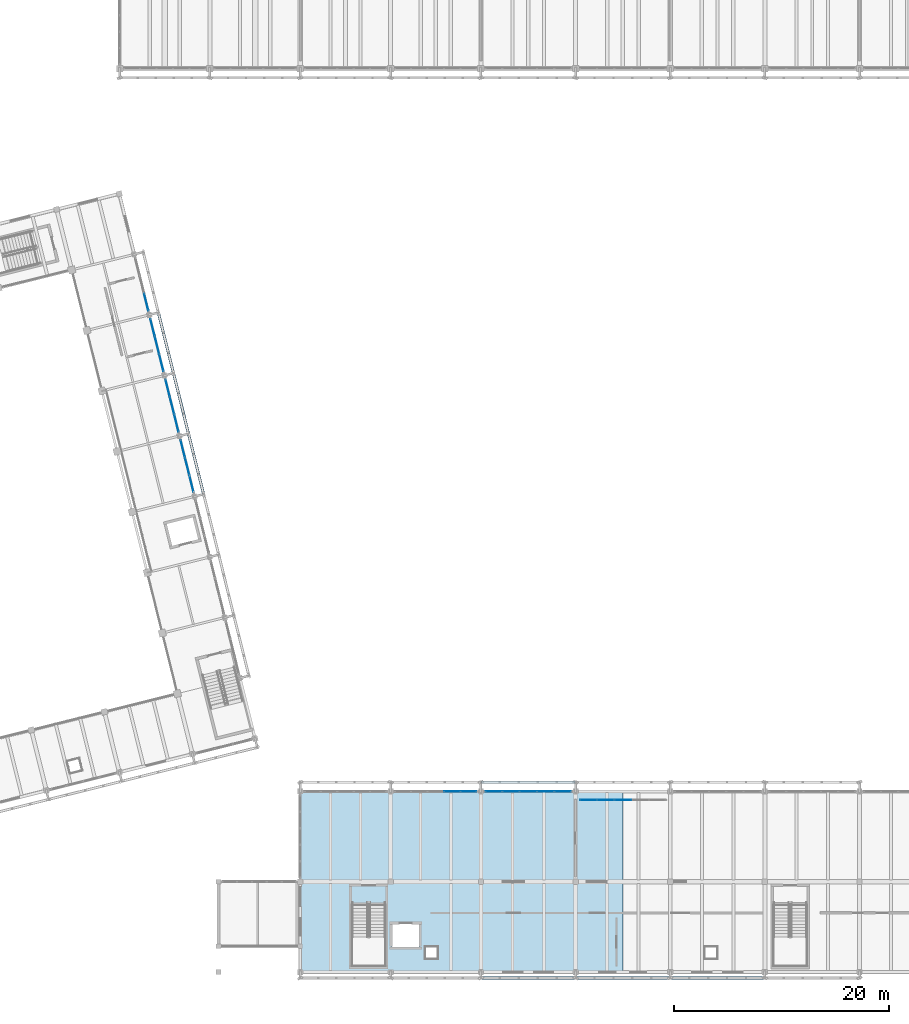
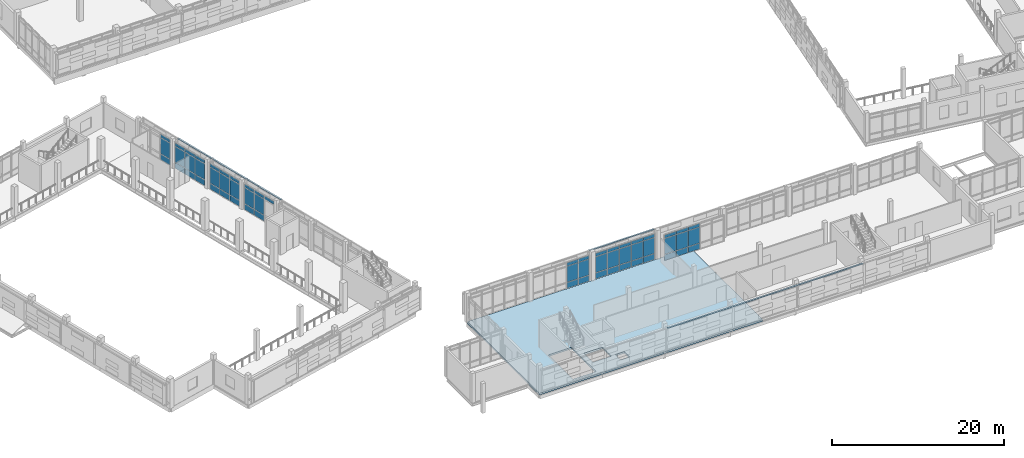
# One storey, part 95 of 137: 65 plates, 1 slab, 7 elements without a shape of their own.
"""IFC4 building model written with IfcOpenShell, lengths in metres."""

from ifc_helpers import new_model, si_unit, direction, frame, origin, origin_2d, place, context, subcontext, project, spatial, polyline, rectangle, outline, extrude, material, layer, layer_set, type_object, element, aggregate, save


model = new_model("IFC4")

# Units and contexts
model_context = context("Model", 3, precision=1e-05, world=origin(), true_north=direction((0.0, 1.0)))
body_context = subcontext(model_context, "Body", "Model", "MODEL_VIEW")
ifc_project = project(units=[si_unit("LENGTHUNIT", "METRE"), si_unit("AREAUNIT", "SQUARE_METRE"), si_unit("VOLUMEUNIT", "CUBIC_METRE"), si_unit("PLANEANGLEUNIT", "RADIAN"), si_unit("MASSUNIT", "GRAM", prefix="KILO")], contexts=[model_context])

# Site, building, storey
site_placement = place(None, origin())
site = spatial("IfcSite", under=ifc_project, at=site_placement, CompositionType="ELEMENT")
building_placement = place(site_placement, origin())
building = spatial("IfcBuilding", under=site, at=building_placement, Name="Cinderway Yard Community Centre", CompositionType="ELEMENT")
storey_placement = place(building_placement, frame((0.0, 0.0, 4.800048828125)))
storey = spatial("IfcBuildingStorey", under=building, at=storey_placement, Name="L01", CompositionType="ELEMENT", Elevation=4.800048828125)

# Curtain wall, plates
ifc_material_1 = material(Name="Aluminium 6063-T6", Category="aluminium")
curtain_wall_type_1 = type_object("IfcCurtainWallType", Name="ENV-CW-TYPE-26", PredefinedType="USERDEFINED", material=ifc_material_1)
curtain_wall_1_placement = place(storey_placement, origin())
curtain_wall_1 = element("IfcCurtainWall", 1, at=curtain_wall_1_placement, inside=storey, type_object=curtain_wall_type_1, Name="Dining Courtyard Curtain Wall ENV-CW-L01-ST-0094", ObjectType="GLAZED CURTAIN WALL", PredefinedType="USERDEFINED")
ifc_material_2 = material(Name="Laminated Low-E Glass", Category="glass")
ifc_layer_1 = layer(ifc_material_2, 0.028076171875, Name="Laminated Low-E Glass")
ifc_layer_set_1 = layer_set([ifc_layer_1], Name="Laminated Low-E Glass")
plate_type_1 = type_object("IfcPlateType", Name="ENV-CW-PAN-IGU28", PredefinedType="CURTAIN_PANEL", material=ifc_layer_set_1)
plate_1_placement = place(storey_placement, frame((72.528076171875, 22.800048828125, 0.059814453125), z_axis=(0.0, 0.0, 1.0), x_axis=(1.0, 0.0, 0.0)))
plate_1 = element("IfcPlate", 2, at=plate_1_placement, type_object=plate_type_1, Name="CW-26 panel 4.1", PredefinedType="CURTAIN_PANEL", context=body_context, shape_type="SweptSolid", body=[
    extrude(rectangle(XDim=1.468017578125, YDim=0.028076171875, at=origin_2d()), origin(), (0.0, 0.0, 1.0), 0.81005859375),
])
plate_2_placement = place(storey_placement, frame((72.528076171875, 22.800048828125, 0.93017578125), z_axis=(0.0, 0.0, 1.0), x_axis=(1.0, 0.0, 0.0)))
plate_2 = element("IfcPlate", 3, at=plate_2_placement, type_object=plate_type_1, Name="CW-26 panel 4.2", PredefinedType="CURTAIN_PANEL", context=body_context, shape_type="SweptSolid", body=[
    extrude(rectangle(XDim=1.468017578125, YDim=0.028076171875, at=origin_2d()), origin(), (0.0, 0.0, 1.0), 2.239990234375),
])
plate_3_placement = place(storey_placement, frame((72.528076171875, 22.800048828125, 3.22998046875), z_axis=(0.0, 0.0, 1.0), x_axis=(1.0, 0.0, 0.0)))
plate_3 = element("IfcPlate", 4, at=plate_3_placement, type_object=plate_type_1, Name="CW-26 panel 4.3", PredefinedType="CURTAIN_PANEL", context=body_context, shape_type="SweptSolid", body=[
    extrude(rectangle(XDim=1.468017578125, YDim=0.028076171875, at=origin_2d()), origin(), (0.0, 0.0, 1.0), 0.4599609375),
])
plate_4_placement = place(storey_placement, frame((74.041015625, 22.800048828125, 0.059814453125), z_axis=(0.0, 0.0, 1.0), x_axis=(1.0, 0.0, 0.0)))
plate_4 = element("IfcPlate", 5, at=plate_4_placement, type_object=plate_type_1, Name="CW-26 panel 5.1", PredefinedType="CURTAIN_PANEL", context=body_context, shape_type="SweptSolid", body=[
    extrude(rectangle(XDim=1.43798828125, YDim=0.028076171875, at=origin_2d()), origin(), (0.0, 0.0, 1.0), 0.81005859375),
])
plate_5_placement = place(storey_placement, frame((74.041015625, 22.800048828125, 0.93017578125), z_axis=(0.0, 0.0, 1.0), x_axis=(1.0, 0.0, 0.0)))
plate_5 = element("IfcPlate", 6, at=plate_5_placement, type_object=plate_type_1, Name="CW-26 panel 5.2", PredefinedType="CURTAIN_PANEL", context=body_context, shape_type="SweptSolid", body=[
    extrude(rectangle(XDim=1.43798828125, YDim=0.028076171875, at=origin_2d()), origin(), (0.0, 0.0, 1.0), 2.239990234375),
])
plate_6_placement = place(storey_placement, frame((74.041015625, 22.800048828125, 3.22998046875), z_axis=(0.0, 0.0, 1.0), x_axis=(1.0, 0.0, 0.0)))
plate_6 = element("IfcPlate", 7, at=plate_6_placement, type_object=plate_type_1, Name="CW-26 panel 5.3", PredefinedType="CURTAIN_PANEL", context=body_context, shape_type="SweptSolid", body=[
    extrude(rectangle(XDim=1.43798828125, YDim=0.028076171875, at=origin_2d()), origin(), (0.0, 0.0, 1.0), 0.4599609375),
])
aggregate(curtain_wall_1, [plate_1, plate_2, plate_3, plate_4, plate_5, plate_6])

curtain_wall_type_2 = type_object("IfcCurtainWallType", Name="ENV-CW-TYPE-27", PredefinedType="USERDEFINED", material=ifc_material_1)
curtain_wall_2_placement = place(storey_placement, origin())
curtain_wall_2 = element("IfcCurtainWall", 8, at=curtain_wall_2_placement, inside=storey, type_object=curtain_wall_type_2, Name="Dining Courtyard Curtain Wall ENV-CW-L01-ST-0095", ObjectType="GLAZED CURTAIN WALL", PredefinedType="USERDEFINED")
plate_7_placement = place(storey_placement, frame((76.39892578125, 22.800048828125, 0.059814453125), z_axis=(0.0, 0.0, 1.0), x_axis=(1.0, 0.0, 0.0)))
plate_7 = element("IfcPlate", 9, at=plate_7_placement, type_object=plate_type_1, Name="CW-27 panel 1.1", PredefinedType="CURTAIN_PANEL", context=body_context, shape_type="SweptSolid", body=[
    extrude(rectangle(XDim=1.51806640625, YDim=0.028076171875, at=origin_2d()), origin(), (0.0, 0.0, 1.0), 0.81005859375),
])
plate_8_placement = place(storey_placement, frame((76.39892578125, 22.800048828125, 0.93017578125), z_axis=(0.0, 0.0, 1.0), x_axis=(1.0, 0.0, 0.0)))
plate_8 = element("IfcPlate", 10, at=plate_8_placement, type_object=plate_type_1, Name="CW-27 panel 1.2", PredefinedType="CURTAIN_PANEL", context=body_context, shape_type="SweptSolid", body=[
    extrude(rectangle(XDim=1.51806640625, YDim=0.028076171875, at=origin_2d()), origin(), (0.0, 0.0, 1.0), 2.239990234375),
])
plate_9_placement = place(storey_placement, frame((76.39892578125, 22.800048828125, 3.22998046875), z_axis=(0.0, 0.0, 1.0), x_axis=(1.0, 0.0, 0.0)))
plate_9 = element("IfcPlate", 11, at=plate_9_placement, type_object=plate_type_1, Name="CW-27 panel 1.3", PredefinedType="CURTAIN_PANEL", context=body_context, shape_type="SweptSolid", body=[
    extrude(rectangle(XDim=1.51806640625, YDim=0.028076171875, at=origin_2d()), origin(), (0.0, 0.0, 1.0), 0.4599609375),
])
plate_10_placement = place(storey_placement, frame((77.991943359375, 22.800048828125, 0.059814453125), z_axis=(0.0, 0.0, 1.0), x_axis=(1.0, 0.0, 0.0)))
plate_10 = element("IfcPlate", 12, at=plate_10_placement, type_object=plate_type_1, Name="CW-27 panel 2.1", PredefinedType="CURTAIN_PANEL", context=body_context, shape_type="SweptSolid", body=[
    extrude(rectangle(XDim=1.548095703125, YDim=0.028076171875, at=origin_2d()), origin(), (0.0, 0.0, 1.0), 0.81005859375),
])
plate_11_placement = place(storey_placement, frame((77.991943359375, 22.800048828125, 0.93017578125), z_axis=(0.0, 0.0, 1.0), x_axis=(1.0, 0.0, 0.0)))
plate_11 = element("IfcPlate", 13, at=plate_11_placement, type_object=plate_type_1, Name="CW-27 panel 2.2", PredefinedType="CURTAIN_PANEL", context=body_context, shape_type="SweptSolid", body=[
    extrude(rectangle(XDim=1.548095703125, YDim=0.028076171875, at=origin_2d()), origin(), (0.0, 0.0, 1.0), 2.239990234375),
])
plate_12_placement = place(storey_placement, frame((77.991943359375, 22.800048828125, 3.22998046875), z_axis=(0.0, 0.0, 1.0), x_axis=(1.0, 0.0, 0.0)))
plate_12 = element("IfcPlate", 14, at=plate_12_placement, type_object=plate_type_1, Name="CW-27 panel 2.3", PredefinedType="CURTAIN_PANEL", context=body_context, shape_type="SweptSolid", body=[
    extrude(rectangle(XDim=1.548095703125, YDim=0.028076171875, at=origin_2d()), origin(), (0.0, 0.0, 1.0), 0.4599609375),
])
plate_13_placement = place(storey_placement, frame((79.60009765625, 22.800048828125, 0.059814453125), z_axis=(0.0, 0.0, 1.0), x_axis=(1.0, 0.0, 0.0)))
plate_13 = element("IfcPlate", 15, at=plate_13_placement, type_object=plate_type_1, Name="CW-27 panel 3.1", PredefinedType="CURTAIN_PANEL", context=body_context, shape_type="SweptSolid", body=[
    extrude(rectangle(XDim=1.548095703125, YDim=0.028076171875, at=origin_2d()), origin(), (0.0, 0.0, 1.0), 0.81005859375),
])
plate_14_placement = place(storey_placement, frame((79.60009765625, 22.800048828125, 0.93017578125), z_axis=(0.0, 0.0, 1.0), x_axis=(1.0, 0.0, 0.0)))
plate_14 = element("IfcPlate", 16, at=plate_14_placement, type_object=plate_type_1, Name="CW-27 panel 3.2", PredefinedType="CURTAIN_PANEL", context=body_context, shape_type="SweptSolid", body=[
    extrude(rectangle(XDim=1.548095703125, YDim=0.028076171875, at=origin_2d()), origin(), (0.0, 0.0, 1.0), 2.239990234375),
])
plate_15_placement = place(storey_placement, frame((79.60009765625, 22.800048828125, 3.22998046875), z_axis=(0.0, 0.0, 1.0), x_axis=(1.0, 0.0, 0.0)))
plate_15 = element("IfcPlate", 17, at=plate_15_placement, type_object=plate_type_1, Name="CW-27 panel 3.3", PredefinedType="CURTAIN_PANEL", context=body_context, shape_type="SweptSolid", body=[
    extrude(rectangle(XDim=1.548095703125, YDim=0.028076171875, at=origin_2d()), origin(), (0.0, 0.0, 1.0), 0.4599609375),
])
plate_16_placement = place(storey_placement, frame((81.2080078125, 22.800048828125, 0.059814453125), z_axis=(0.0, 0.0, 1.0), x_axis=(1.0, 0.0, 0.0)))
plate_16 = element("IfcPlate", 18, at=plate_16_placement, type_object=plate_type_1, Name="CW-27 panel 4.1", PredefinedType="CURTAIN_PANEL", context=body_context, shape_type="SweptSolid", body=[
    extrude(rectangle(XDim=1.548095703125, YDim=0.028076171875, at=origin_2d()), origin(), (0.0, 0.0, 1.0), 0.81005859375),
])
plate_17_placement = place(storey_placement, frame((81.2080078125, 22.800048828125, 0.93017578125), z_axis=(0.0, 0.0, 1.0), x_axis=(1.0, 0.0, 0.0)))
plate_17 = element("IfcPlate", 19, at=plate_17_placement, type_object=plate_type_1, Name="CW-27 panel 4.2", PredefinedType="CURTAIN_PANEL", context=body_context, shape_type="SweptSolid", body=[
    extrude(rectangle(XDim=1.548095703125, YDim=0.028076171875, at=origin_2d()), origin(), (0.0, 0.0, 1.0), 2.239990234375),
])
plate_18_placement = place(storey_placement, frame((81.2080078125, 22.800048828125, 3.22998046875), z_axis=(0.0, 0.0, 1.0), x_axis=(1.0, 0.0, 0.0)))
plate_18 = element("IfcPlate", 20, at=plate_18_placement, type_object=plate_type_1, Name="CW-27 panel 4.3", PredefinedType="CURTAIN_PANEL", context=body_context, shape_type="SweptSolid", body=[
    extrude(rectangle(XDim=1.548095703125, YDim=0.028076171875, at=origin_2d()), origin(), (0.0, 0.0, 1.0), 0.4599609375),
])
plate_19_placement = place(storey_placement, frame((82.801025390625, 22.800048828125, 0.059814453125), z_axis=(0.0, 0.0, 1.0), x_axis=(1.0, 0.0, 0.0)))
plate_19 = element("IfcPlate", 21, at=plate_19_placement, type_object=plate_type_1, Name="CW-27 panel 5.1", PredefinedType="CURTAIN_PANEL", context=body_context, shape_type="SweptSolid", body=[
    extrude(rectangle(XDim=1.51806640625, YDim=0.028076171875, at=origin_2d()), origin(), (0.0, 0.0, 1.0), 0.81005859375),
])
plate_20_placement = place(storey_placement, frame((82.801025390625, 22.800048828125, 0.93017578125), z_axis=(0.0, 0.0, 1.0), x_axis=(1.0, 0.0, 0.0)))
plate_20 = element("IfcPlate", 22, at=plate_20_placement, type_object=plate_type_1, Name="CW-27 panel 5.2", PredefinedType="CURTAIN_PANEL", context=body_context, shape_type="SweptSolid", body=[
    extrude(rectangle(XDim=1.51806640625, YDim=0.028076171875, at=origin_2d()), origin(), (0.0, 0.0, 1.0), 2.239990234375),
])
plate_21_placement = place(storey_placement, frame((82.801025390625, 22.800048828125, 3.22998046875), z_axis=(0.0, 0.0, 1.0), x_axis=(1.0, 0.0, 0.0)))
plate_21 = element("IfcPlate", 23, at=plate_21_placement, type_object=plate_type_1, Name="CW-27 panel 5.3", PredefinedType="CURTAIN_PANEL", context=body_context, shape_type="SweptSolid", body=[
    extrude(rectangle(XDim=1.51806640625, YDim=0.028076171875, at=origin_2d()), origin(), (0.0, 0.0, 1.0), 0.4599609375),
])
aggregate(curtain_wall_2, [plate_7, plate_8, plate_9, plate_10, plate_11, plate_12, plate_13, plate_14, plate_15, plate_16, plate_17, plate_18, plate_19, plate_20, plate_21])

curtain_wall_3_placement = place(storey_placement, origin())
curtain_wall_3 = element("IfcCurtainWall", 24, at=curtain_wall_3_placement, inside=storey, type_object=curtain_wall_type_2, Name="Dining Courtyard Curtain Wall ENV-CW-L01-ST-0096", ObjectType="GLAZED CURTAIN WALL", PredefinedType="USERDEFINED")
plate_22_placement = place(storey_placement, frame((85.198974609375, 22.0, 0.059814453125), z_axis=(0.0, 0.0, 1.0), x_axis=(1.0, 0.0, 0.0)))
plate_22 = element("IfcPlate", 25, at=plate_22_placement, type_object=plate_type_1, Name="CW-27 panel 1.1", PredefinedType="CURTAIN_PANEL", context=body_context, shape_type="SweptSolid", body=[
    extrude(rectangle(XDim=1.51806640625, YDim=0.028076171875, at=origin_2d()), origin(), (0.0, 0.0, 1.0), 0.81005859375),
])
plate_23_placement = place(storey_placement, frame((85.198974609375, 22.0, 0.93017578125), z_axis=(0.0, 0.0, 1.0), x_axis=(1.0, 0.0, 0.0)))
plate_23 = element("IfcPlate", 26, at=plate_23_placement, type_object=plate_type_1, Name="CW-27 panel 1.2", PredefinedType="CURTAIN_PANEL", context=body_context, shape_type="SweptSolid", body=[
    extrude(rectangle(XDim=1.51806640625, YDim=0.028076171875, at=origin_2d()), origin(), (0.0, 0.0, 1.0), 2.239990234375),
])
plate_24_placement = place(storey_placement, frame((85.198974609375, 22.0, 3.22998046875), z_axis=(0.0, 0.0, 1.0), x_axis=(1.0, 0.0, 0.0)))
plate_24 = element("IfcPlate", 27, at=plate_24_placement, type_object=plate_type_1, Name="CW-27 panel 1.3", PredefinedType="CURTAIN_PANEL", context=body_context, shape_type="SweptSolid", body=[
    extrude(rectangle(XDim=1.51806640625, YDim=0.028076171875, at=origin_2d()), origin(), (0.0, 0.0, 1.0), 0.4599609375),
])
plate_25_placement = place(storey_placement, frame((86.7919921875, 22.0, 0.059814453125), z_axis=(0.0, 0.0, 1.0), x_axis=(1.0, 0.0, 0.0)))
plate_25 = element("IfcPlate", 28, at=plate_25_placement, type_object=plate_type_1, Name="CW-27 panel 2.1", PredefinedType="CURTAIN_PANEL", context=body_context, shape_type="SweptSolid", body=[
    extrude(rectangle(XDim=1.548095703125, YDim=0.028076171875, at=origin_2d()), origin(), (0.0, 0.0, 1.0), 0.81005859375),
])
plate_26_placement = place(storey_placement, frame((86.7919921875, 22.0, 0.93017578125), z_axis=(0.0, 0.0, 1.0), x_axis=(1.0, 0.0, 0.0)))
plate_26 = element("IfcPlate", 29, at=plate_26_placement, type_object=plate_type_1, Name="CW-27 panel 2.2", PredefinedType="CURTAIN_PANEL", context=body_context, shape_type="SweptSolid", body=[
    extrude(rectangle(XDim=1.548095703125, YDim=0.028076171875, at=origin_2d()), origin(), (0.0, 0.0, 1.0), 2.239990234375),
])
plate_27_placement = place(storey_placement, frame((86.7919921875, 22.0, 3.22998046875), z_axis=(0.0, 0.0, 1.0), x_axis=(1.0, 0.0, 0.0)))
plate_27 = element("IfcPlate", 30, at=plate_27_placement, type_object=plate_type_1, Name="CW-27 panel 2.3", PredefinedType="CURTAIN_PANEL", context=body_context, shape_type="SweptSolid", body=[
    extrude(rectangle(XDim=1.548095703125, YDim=0.028076171875, at=origin_2d()), origin(), (0.0, 0.0, 1.0), 0.4599609375),
])
plate_28_placement = place(storey_placement, frame((88.39990234375, 22.0, 0.059814453125), z_axis=(0.0, 0.0, 1.0), x_axis=(1.0, 0.0, 0.0)))
plate_28 = element("IfcPlate", 31, at=plate_28_placement, type_object=plate_type_1, Name="CW-27 panel 3.1", PredefinedType="CURTAIN_PANEL", context=body_context, shape_type="SweptSolid", body=[
    extrude(rectangle(XDim=1.548095703125, YDim=0.028076171875, at=origin_2d()), origin(), (0.0, 0.0, 1.0), 0.81005859375),
])
plate_29_placement = place(storey_placement, frame((88.39990234375, 22.0, 0.93017578125), z_axis=(0.0, 0.0, 1.0), x_axis=(1.0, 0.0, 0.0)))
plate_29 = element("IfcPlate", 32, at=plate_29_placement, type_object=plate_type_1, Name="CW-27 panel 3.2", PredefinedType="CURTAIN_PANEL", context=body_context, shape_type="SweptSolid", body=[
    extrude(rectangle(XDim=1.548095703125, YDim=0.028076171875, at=origin_2d()), origin(), (0.0, 0.0, 1.0), 2.239990234375),
])
plate_30_placement = place(storey_placement, frame((88.39990234375, 22.0, 3.22998046875), z_axis=(0.0, 0.0, 1.0), x_axis=(1.0, 0.0, 0.0)))
plate_30 = element("IfcPlate", 33, at=plate_30_placement, type_object=plate_type_1, Name="CW-27 panel 3.3", PredefinedType="CURTAIN_PANEL", context=body_context, shape_type="SweptSolid", body=[
    extrude(rectangle(XDim=1.548095703125, YDim=0.028076171875, at=origin_2d()), origin(), (0.0, 0.0, 1.0), 0.4599609375),
])
aggregate(curtain_wall_3, [plate_22, plate_23, plate_24, plate_25, plate_26, plate_27, plate_28, plate_29, plate_30])

curtain_wall_type_3 = type_object("IfcCurtainWallType", Name="ENV-CW-TYPE-04", PredefinedType="USERDEFINED", material=ifc_material_1)
curtain_wall_4_placement = place(storey_placement, origin())
curtain_wall_4 = element("IfcCurtainWall", 34, at=curtain_wall_4_placement, inside=storey, type_object=curtain_wall_type_3, Name="Main Hall Courtyard Curtain Wall ENV-CW-L01-HS-0013", ObjectType="GLAZED CURTAIN WALL", PredefinedType="USERDEFINED")
ifc_layer_2 = layer(ifc_material_2, 0.031982421875, Name="Laminated Low-E Glass")
ifc_layer_set_2 = layer_set([ifc_layer_2], Name="Laminated Low-E Glass")
plate_type_2 = type_object("IfcPlateType", Name="ENV-CW-PAN-IGU32", PredefinedType="CURTAIN_PANEL", material=ifc_layer_set_2)
plate_31_placement = place(storey_placement, frame((48.29443359375, 51.41015625, 3.22998046875), z_axis=(0.0, 0.0, 1.0), x_axis=(-0.241887234827, 0.97030436752, 0.0)))
plate_31 = element("IfcPlate", 35, at=plate_31_placement, type_object=plate_type_2, Name="CW-04 panel 1.3", PredefinedType="CURTAIN_PANEL", context=body_context, shape_type="SweptSolid", body=[
    extrude(rectangle(XDim=1.603515625, YDim=0.028076171875, at=origin_2d()), origin(), (0.0, 0.0, 1.0), 0.4599609375),
])
plate_32_placement = place(storey_placement, frame((47.888427734375, 53.0390625, 0.059814453125), z_axis=(0.0, 0.0, 1.0), x_axis=(-0.241887234827, 0.97030436752, 0.0)))
plate_32 = element("IfcPlate", 36, at=plate_32_placement, type_object=plate_type_2, Name="CW-04 panel 2.1", PredefinedType="CURTAIN_PANEL", context=body_context, shape_type="SweptSolid", body=[
    extrude(rectangle(XDim=1.633544921875, YDim=0.028076171875, at=origin_2d()), origin(), (0.0, 0.0, 1.0), 0.81005859375),
])
plate_33_placement = place(storey_placement, frame((47.888427734375, 53.0390625, 0.93017578125), z_axis=(0.0, 0.0, 1.0), x_axis=(-0.241887234827, 0.97030436752, 0.0)))
plate_33 = element("IfcPlate", 37, at=plate_33_placement, type_object=plate_type_2, Name="CW-04 panel 2.2", PredefinedType="CURTAIN_PANEL", context=body_context, shape_type="SweptSolid", body=[
    extrude(rectangle(XDim=1.633544921875, YDim=0.028076171875, at=origin_2d()), origin(), (0.0, 0.0, 1.0), 2.239990234375),
])
plate_34_placement = place(storey_placement, frame((47.888427734375, 53.0390625, 3.22998046875), z_axis=(0.0, 0.0, 1.0), x_axis=(-0.241887234827, 0.97030436752, 0.0)))
plate_34 = element("IfcPlate", 38, at=plate_34_placement, type_object=plate_type_2, Name="CW-04 panel 2.3", PredefinedType="CURTAIN_PANEL", context=body_context, shape_type="SweptSolid", body=[
    extrude(rectangle(XDim=1.633544921875, YDim=0.028076171875, at=origin_2d()), origin(), (0.0, 0.0, 1.0), 0.4599609375),
])
plate_35_placement = place(storey_placement, frame((47.482421875, 54.667724609375, 0.059814453125), z_axis=(0.0, 0.0, 1.0), x_axis=(-0.241887234827, 0.97030436752, 0.0)))
plate_35 = element("IfcPlate", 39, at=plate_35_placement, type_object=plate_type_2, Name="CW-04 panel 3.1", PredefinedType="CURTAIN_PANEL", context=body_context, shape_type="SweptSolid", body=[
    extrude(rectangle(XDim=1.603515625, YDim=0.028076171875, at=origin_2d()), origin(), (0.0, 0.0, 1.0), 0.81005859375),
])
plate_36_placement = place(storey_placement, frame((47.482421875, 54.667724609375, 0.93017578125), z_axis=(0.0, 0.0, 1.0), x_axis=(-0.241887234827, 0.97030436752, 0.0)))
plate_36 = element("IfcPlate", 40, at=plate_36_placement, type_object=plate_type_2, Name="CW-04 panel 3.2", PredefinedType="CURTAIN_PANEL", context=body_context, shape_type="SweptSolid", body=[
    extrude(rectangle(XDim=1.603515625, YDim=0.028076171875, at=origin_2d()), origin(), (0.0, 0.0, 1.0), 2.239990234375),
])
plate_37_placement = place(storey_placement, frame((47.482421875, 54.667724609375, 3.22998046875), z_axis=(0.0, 0.0, 1.0), x_axis=(-0.241887234827, 0.97030436752, 0.0)))
plate_37 = element("IfcPlate", 41, at=plate_37_placement, type_object=plate_type_2, Name="CW-04 panel 3.3", PredefinedType="CURTAIN_PANEL", context=body_context, shape_type="SweptSolid", body=[
    extrude(rectangle(XDim=1.603515625, YDim=0.028076171875, at=origin_2d()), origin(), (0.0, 0.0, 1.0), 0.4599609375),
])
aggregate(curtain_wall_4, [plate_31, plate_32, plate_33, plate_34, plate_35, plate_36, plate_37])

curtain_wall_5_placement = place(storey_placement, origin())
curtain_wall_5 = element("IfcCurtainWall", 42, at=curtain_wall_5_placement, inside=storey, type_object=curtain_wall_type_3, Name="Main Hall Courtyard Curtain Wall ENV-CW-L01-HS-0014", ObjectType="GLAZED CURTAIN WALL", PredefinedType="USERDEFINED")
plate_38_placement = place(storey_placement, frame((46.8916015625, 57.038330078125, 0.059814453125), z_axis=(0.0, 0.0, 1.0), x_axis=(-0.241887234827, 0.97030436752, 0.0)))
plate_38 = element("IfcPlate", 43, at=plate_38_placement, type_object=plate_type_2, Name="CW-04 panel 1.1", PredefinedType="CURTAIN_PANEL", context=body_context, shape_type="SweptSolid", body=[
    extrude(rectangle(XDim=1.603515625, YDim=0.028076171875, at=origin_2d()), origin(), (0.0, 0.0, 1.0), 0.81005859375),
])
plate_39_placement = place(storey_placement, frame((46.8916015625, 57.038330078125, 0.93017578125), z_axis=(0.0, 0.0, 1.0), x_axis=(-0.241887234827, 0.97030436752, 0.0)))
plate_39 = element("IfcPlate", 44, at=plate_39_placement, type_object=plate_type_2, Name="CW-04 panel 1.2", PredefinedType="CURTAIN_PANEL", context=body_context, shape_type="SweptSolid", body=[
    extrude(rectangle(XDim=1.603515625, YDim=0.028076171875, at=origin_2d()), origin(), (0.0, 0.0, 1.0), 2.239990234375),
])
plate_40_placement = place(storey_placement, frame((46.8916015625, 57.038330078125, 3.22998046875), z_axis=(0.0, 0.0, 1.0), x_axis=(-0.241887234827, 0.97030436752, 0.0)))
plate_40 = element("IfcPlate", 45, at=plate_40_placement, type_object=plate_type_2, Name="CW-04 panel 1.3", PredefinedType="CURTAIN_PANEL", context=body_context, shape_type="SweptSolid", body=[
    extrude(rectangle(XDim=1.603515625, YDim=0.028076171875, at=origin_2d()), origin(), (0.0, 0.0, 1.0), 0.4599609375),
])
plate_41_placement = place(storey_placement, frame((46.485595703125, 58.6669921875, 0.059814453125), z_axis=(0.0, 0.0, 1.0), x_axis=(-0.241887234827, 0.97030436752, 0.0)))
plate_41 = element("IfcPlate", 46, at=plate_41_placement, type_object=plate_type_2, Name="CW-04 panel 2.1", PredefinedType="CURTAIN_PANEL", context=body_context, shape_type="SweptSolid", body=[
    extrude(rectangle(XDim=1.633544921875, YDim=0.028076171875, at=origin_2d()), origin(), (0.0, 0.0, 1.0), 0.81005859375),
])
plate_42_placement = place(storey_placement, frame((46.485595703125, 58.6669921875, 0.93017578125), z_axis=(0.0, 0.0, 1.0), x_axis=(-0.241887234827, 0.97030436752, 0.0)))
plate_42 = element("IfcPlate", 47, at=plate_42_placement, type_object=plate_type_2, Name="CW-04 panel 2.2", PredefinedType="CURTAIN_PANEL", context=body_context, shape_type="SweptSolid", body=[
    extrude(rectangle(XDim=1.633544921875, YDim=0.028076171875, at=origin_2d()), origin(), (0.0, 0.0, 1.0), 2.239990234375),
])
plate_43_placement = place(storey_placement, frame((46.485595703125, 58.6669921875, 3.22998046875), z_axis=(0.0, 0.0, 1.0), x_axis=(-0.241887234827, 0.97030436752, 0.0)))
plate_43 = element("IfcPlate", 48, at=plate_43_placement, type_object=plate_type_2, Name="CW-04 panel 2.3", PredefinedType="CURTAIN_PANEL", context=body_context, shape_type="SweptSolid", body=[
    extrude(rectangle(XDim=1.633544921875, YDim=0.028076171875, at=origin_2d()), origin(), (0.0, 0.0, 1.0), 0.4599609375),
])
plate_44_placement = place(storey_placement, frame((46.079345703125, 60.2958984375, 0.059814453125), z_axis=(0.0, 0.0, 1.0), x_axis=(-0.241887234827, 0.97030436752, 0.0)))
plate_44 = element("IfcPlate", 49, at=plate_44_placement, type_object=plate_type_2, Name="CW-04 panel 3.1", PredefinedType="CURTAIN_PANEL", context=body_context, shape_type="SweptSolid", body=[
    extrude(rectangle(XDim=1.603515625, YDim=0.028076171875, at=origin_2d()), origin(), (0.0, 0.0, 1.0), 0.81005859375),
])
plate_45_placement = place(storey_placement, frame((46.079345703125, 60.2958984375, 0.93017578125), z_axis=(0.0, 0.0, 1.0), x_axis=(-0.241887234827, 0.97030436752, 0.0)))
plate_45 = element("IfcPlate", 50, at=plate_45_placement, type_object=plate_type_2, Name="CW-04 panel 3.2", PredefinedType="CURTAIN_PANEL", context=body_context, shape_type="SweptSolid", body=[
    extrude(rectangle(XDim=1.603515625, YDim=0.028076171875, at=origin_2d()), origin(), (0.0, 0.0, 1.0), 2.239990234375),
])
plate_46_placement = place(storey_placement, frame((46.079345703125, 60.2958984375, 3.22998046875), z_axis=(0.0, 0.0, 1.0), x_axis=(-0.241887234827, 0.97030436752, 0.0)))
plate_46 = element("IfcPlate", 51, at=plate_46_placement, type_object=plate_type_2, Name="CW-04 panel 3.3", PredefinedType="CURTAIN_PANEL", context=body_context, shape_type="SweptSolid", body=[
    extrude(rectangle(XDim=1.603515625, YDim=0.028076171875, at=origin_2d()), origin(), (0.0, 0.0, 1.0), 0.4599609375),
])
aggregate(curtain_wall_5, [plate_38, plate_39, plate_40, plate_41, plate_42, plate_43, plate_44, plate_45, plate_46])

curtain_wall_6_placement = place(storey_placement, origin())
curtain_wall_6 = element("IfcCurtainWall", 52, at=curtain_wall_6_placement, inside=storey, type_object=curtain_wall_type_3, Name="Main Hall Courtyard Curtain Wall ENV-CW-L01-HS-0015", ObjectType="GLAZED CURTAIN WALL", PredefinedType="USERDEFINED")
plate_47_placement = place(storey_placement, frame((45.488525390625, 62.666015625, 0.059814453125), z_axis=(0.0, 0.0, 1.0), x_axis=(-0.241933436991, 0.970292848611, 0.0)))
plate_47 = element("IfcPlate", 53, at=plate_47_placement, type_object=plate_type_2, Name="CW-04 panel 1.1", PredefinedType="CURTAIN_PANEL", context=body_context, shape_type="SweptSolid", body=[
    extrude(rectangle(XDim=1.603271484375, YDim=0.028076171875, at=origin_2d()), origin(), (0.0, 0.0, 1.0), 0.81005859375),
])
plate_48_placement = place(storey_placement, frame((45.488525390625, 62.666015625, 0.93017578125), z_axis=(0.0, 0.0, 1.0), x_axis=(-0.241933436991, 0.970292848611, 0.0)))
plate_48 = element("IfcPlate", 54, at=plate_48_placement, type_object=plate_type_2, Name="CW-04 panel 1.2", PredefinedType="CURTAIN_PANEL", context=body_context, shape_type="SweptSolid", body=[
    extrude(rectangle(XDim=1.603271484375, YDim=0.028076171875, at=origin_2d()), origin(), (0.0, 0.0, 1.0), 2.239990234375),
])
plate_49_placement = place(storey_placement, frame((45.488525390625, 62.666015625, 3.22998046875), z_axis=(0.0, 0.0, 1.0), x_axis=(-0.241933436991, 0.970292848611, 0.0)))
plate_49 = element("IfcPlate", 55, at=plate_49_placement, type_object=plate_type_2, Name="CW-04 panel 1.3", PredefinedType="CURTAIN_PANEL", context=body_context, shape_type="SweptSolid", body=[
    extrude(rectangle(XDim=1.603271484375, YDim=0.028076171875, at=origin_2d()), origin(), (0.0, 0.0, 1.0), 0.4599609375),
])
plate_50_placement = place(storey_placement, frame((45.08251953125, 64.29443359375, 0.059814453125), z_axis=(0.0, 0.0, 1.0), x_axis=(-0.241933436991, 0.970292848611, 0.0)))
plate_50 = element("IfcPlate", 56, at=plate_50_placement, type_object=plate_type_2, Name="CW-04 panel 2.1", PredefinedType="CURTAIN_PANEL", context=body_context, shape_type="SweptSolid", body=[
    extrude(rectangle(XDim=1.63330078125, YDim=0.028076171875, at=origin_2d()), origin(), (0.0, 0.0, 1.0), 0.81005859375),
])
plate_51_placement = place(storey_placement, frame((45.08251953125, 64.29443359375, 0.93017578125), z_axis=(0.0, 0.0, 1.0), x_axis=(-0.241933436991, 0.970292848611, 0.0)))
plate_51 = element("IfcPlate", 57, at=plate_51_placement, type_object=plate_type_2, Name="CW-04 panel 2.2", PredefinedType="CURTAIN_PANEL", context=body_context, shape_type="SweptSolid", body=[
    extrude(rectangle(XDim=1.63330078125, YDim=0.028076171875, at=origin_2d()), origin(), (0.0, 0.0, 1.0), 2.239990234375),
])
plate_52_placement = place(storey_placement, frame((45.08251953125, 64.29443359375, 3.22998046875), z_axis=(0.0, 0.0, 1.0), x_axis=(-0.241933436991, 0.970292848611, 0.0)))
plate_52 = element("IfcPlate", 58, at=plate_52_placement, type_object=plate_type_2, Name="CW-04 panel 2.3", PredefinedType="CURTAIN_PANEL", context=body_context, shape_type="SweptSolid", body=[
    extrude(rectangle(XDim=1.63330078125, YDim=0.028076171875, at=origin_2d()), origin(), (0.0, 0.0, 1.0), 0.4599609375),
])
plate_53_placement = place(storey_placement, frame((44.676513671875, 65.9228515625, 0.059814453125), z_axis=(0.0, 0.0, 1.0), x_axis=(-0.241933436991, 0.970292848611, 0.0)))
plate_53 = element("IfcPlate", 59, at=plate_53_placement, type_object=plate_type_2, Name="CW-04 panel 3.1", PredefinedType="CURTAIN_PANEL", context=body_context, shape_type="SweptSolid", body=[
    extrude(rectangle(XDim=1.603271484375, YDim=0.028076171875, at=origin_2d()), origin(), (0.0, 0.0, 1.0), 0.81005859375),
])
plate_54_placement = place(storey_placement, frame((44.676513671875, 65.9228515625, 0.93017578125), z_axis=(0.0, 0.0, 1.0), x_axis=(-0.241933436991, 0.970292848611, 0.0)))
plate_54 = element("IfcPlate", 60, at=plate_54_placement, type_object=plate_type_2, Name="CW-04 panel 3.2", PredefinedType="CURTAIN_PANEL", context=body_context, shape_type="SweptSolid", body=[
    extrude(rectangle(XDim=1.603271484375, YDim=0.028076171875, at=origin_2d()), origin(), (0.0, 0.0, 1.0), 2.239990234375),
])
plate_55_placement = place(storey_placement, frame((44.676513671875, 65.9228515625, 3.22998046875), z_axis=(0.0, 0.0, 1.0), x_axis=(-0.241933436991, 0.970292848611, 0.0)))
plate_55 = element("IfcPlate", 61, at=plate_55_placement, type_object=plate_type_2, Name="CW-04 panel 3.3", PredefinedType="CURTAIN_PANEL", context=body_context, shape_type="SweptSolid", body=[
    extrude(rectangle(XDim=1.603271484375, YDim=0.028076171875, at=origin_2d()), origin(), (0.0, 0.0, 1.0), 0.4599609375),
])
aggregate(curtain_wall_6, [plate_47, plate_48, plate_49, plate_50, plate_51, plate_52, plate_53, plate_54, plate_55])

curtain_wall_7_placement = place(storey_placement, origin())
curtain_wall_7 = element("IfcCurtainWall", 62, at=curtain_wall_7_placement, inside=storey, type_object=curtain_wall_type_3, Name="Main Hall Courtyard Curtain Wall ENV-CW-L01-HS-0016", ObjectType="GLAZED CURTAIN WALL", PredefinedType="USERDEFINED")
plate_56_placement = place(storey_placement, frame((44.08544921875, 68.293212890625, 0.059814453125), z_axis=(0.0, 0.0, 1.0), x_axis=(-0.242072522276, 0.970258158409, 0.0)))
plate_56 = element("IfcPlate", 63, at=plate_56_placement, type_object=plate_type_2, Name="CW-04 panel 1.1", PredefinedType="CURTAIN_PANEL", context=body_context, shape_type="SweptSolid", body=[
    extrude(rectangle(XDim=1.603759765625, YDim=0.028076171875, at=origin_2d()), origin(), (0.0, 0.0, 1.0), 0.81005859375),
])
plate_57_placement = place(storey_placement, frame((44.08544921875, 68.293212890625, 0.93017578125), z_axis=(0.0, 0.0, 1.0), x_axis=(-0.242072522276, 0.970258158409, 0.0)))
plate_57 = element("IfcPlate", 64, at=plate_57_placement, type_object=plate_type_2, Name="CW-04 panel 1.2", PredefinedType="CURTAIN_PANEL", context=body_context, shape_type="SweptSolid", body=[
    extrude(rectangle(XDim=1.603759765625, YDim=0.028076171875, at=origin_2d()), origin(), (0.0, 0.0, 1.0), 2.239990234375),
])
plate_58_placement = place(storey_placement, frame((44.08544921875, 68.293212890625, 3.22998046875), z_axis=(0.0, 0.0, 1.0), x_axis=(-0.242072522276, 0.970258158409, 0.0)))
plate_58 = element("IfcPlate", 65, at=plate_58_placement, type_object=plate_type_2, Name="CW-04 panel 1.3", PredefinedType="CURTAIN_PANEL", context=body_context, shape_type="SweptSolid", body=[
    extrude(rectangle(XDim=1.603759765625, YDim=0.028076171875, at=origin_2d()), origin(), (0.0, 0.0, 1.0), 0.4599609375),
])
aggregate(curtain_wall_7, [plate_56, plate_57, plate_58])

# Plates
ifc_layer_3 = layer(ifc_material_1, 0.01611328125, Name="Aluminium 6063-T6")
ifc_layer_set_3 = layer_set([ifc_layer_3], Name="Aluminium 6063-T6")
plate_type_3 = type_object("IfcPlateType", Name="ENV-PLT-FASCIA16", PredefinedType="USERDEFINED", material=ifc_layer_set_3)
for number, where, z_axis, x_axis, name in (
    (66, (79.60009765625, 5.449951171875, 3.7119140625), (0.0, 0.0, 1.0), (-1.0, 0.0, 0.0), "Screen coping fascia 0070"),
    (67, (88.39990234375, 5.449951171875, 3.7119140625), (0.0, 0.0, 1.0), (-1.0, 0.0, 0.0), "Screen coping fascia 0071"),
    (68, (97.199951171875, 5.449951171875, 3.7119140625), (0.0, 0.0, 1.0), (-1.0, 0.0, 0.0), "Screen coping fascia 0072"),
    (69, (79.60009765625, 23.64990234375, 3.7119140625), (0.0, 0.0, 1.0), (1.0, 0.0, 0.0), "Screen coping fascia 0076"),
):
    element("IfcPlate", number, at=place(storey_placement, frame(where, z_axis=z_axis, x_axis=x_axis)), inside=storey, type_object=plate_type_3, Name=name, ObjectType="FASCIA PLATE", PredefinedType="USERDEFINED", context=body_context, shape_type="SweptSolid", body=[
        extrude(rectangle(XDim=8.699951171875, YDim=0.260009765625, at=origin_2d()), origin(), (0.0, 0.0, 1.0), 0.01611328125),
    ])
for number, where, z_axis, x_axis, name in (
    (70, (48.712890625, 53.2451171875, 3.7119140625), (0.0, 0.0, 1.0), (0.2419218956, -0.970295726276, 0.0), "Screen coping fascia 0102"),
    (71, (47.31103515625, 58.873046875, 3.7119140625), (0.0, 0.0, 1.0), (0.2419218956, -0.970295726276, 0.0), "Screen coping fascia 0103"),
):
    element("IfcPlate", number, at=place(storey_placement, frame(where, z_axis=z_axis, x_axis=x_axis)), inside=storey, type_object=plate_type_3, Name=name, ObjectType="FASCIA PLATE", PredefinedType="USERDEFINED", context=body_context, shape_type="SweptSolid", body=[
        extrude(rectangle(XDim=5.699951171875, YDim=0.260009765625, at=origin_2d()), origin(), (0.0, 0.0, 1.0), 0.01611328125),
    ])
plate_59_placement = place(storey_placement, frame((45.906982421875, 64.5, 3.7119140625), z_axis=(0.0, 0.0, 1.0), x_axis=(0.2419218956, -0.970295726276, 0.0)))
element("IfcPlate", 72, at=plate_59_placement, inside=storey, type_object=plate_type_3, Name="Screen coping fascia 0104", ObjectType="FASCIA PLATE", PredefinedType="USERDEFINED", context=body_context, shape_type="SweptSolid", body=[
    extrude(rectangle(XDim=5.698974609375, YDim=0.260009765625, at=origin_2d()), origin(), (0.0, 0.0, 1.0), 0.01611328125),
])

# Slab
ifc_material_3 = material(Name="Concrete C35/45", Category="concrete")
ifc_layer_4 = layer(ifc_material_3, 0.239990234375, Name="Concrete C35/45")
ifc_layer_set_4 = layer_set([ifc_layer_4], Name="Concrete C35/45")
slab_type = type_object("IfcSlabType", Name="STR-SLAB-FLR-240", PredefinedType="FLOOR", material=ifc_layer_set_4)
slab_placement = place(storey_placement, frame((0.0, 0.0, -0.239990234375)))
element("IfcSlab", 73, at=slab_placement, inside=storey, type_object=slab_type, Name="V3 West Cafe Slab L01 STR-SLAB-L01-015", PredefinedType="FLOOR", context=body_context, shape_type="SweptSolid", body=[
    extrude(outline(polyline([(58.39990234375, 6.0), (88.39990234375, 6.0), (88.39990234375, 22.800048828125), (58.39990234375, 22.800048828125), (58.39990234375, 6.0)]), holes=[polyline([(63.199951171875, 12.22998046875), (63.199951171875, 6.550048828125), (66.320068359375, 6.550048828125), (66.320068359375, 12.22998046875), (63.199951171875, 12.22998046875)]), polyline([(66.949951171875, 8.35009765625), (69.449951171875, 8.35009765625), (69.449951171875, 10.449951171875), (66.949951171875, 10.449951171875), (66.949951171875, 8.35009765625)]), polyline([(70.0, 7.199951171875), (71.199951171875, 7.199951171875), (71.199951171875, 8.39990234375), (70.0, 8.39990234375), (70.0, 7.199951171875)])]), origin(), (0.0, 0.0, 1.0), 0.239990234375),
])

save(model, "model.ifc")
